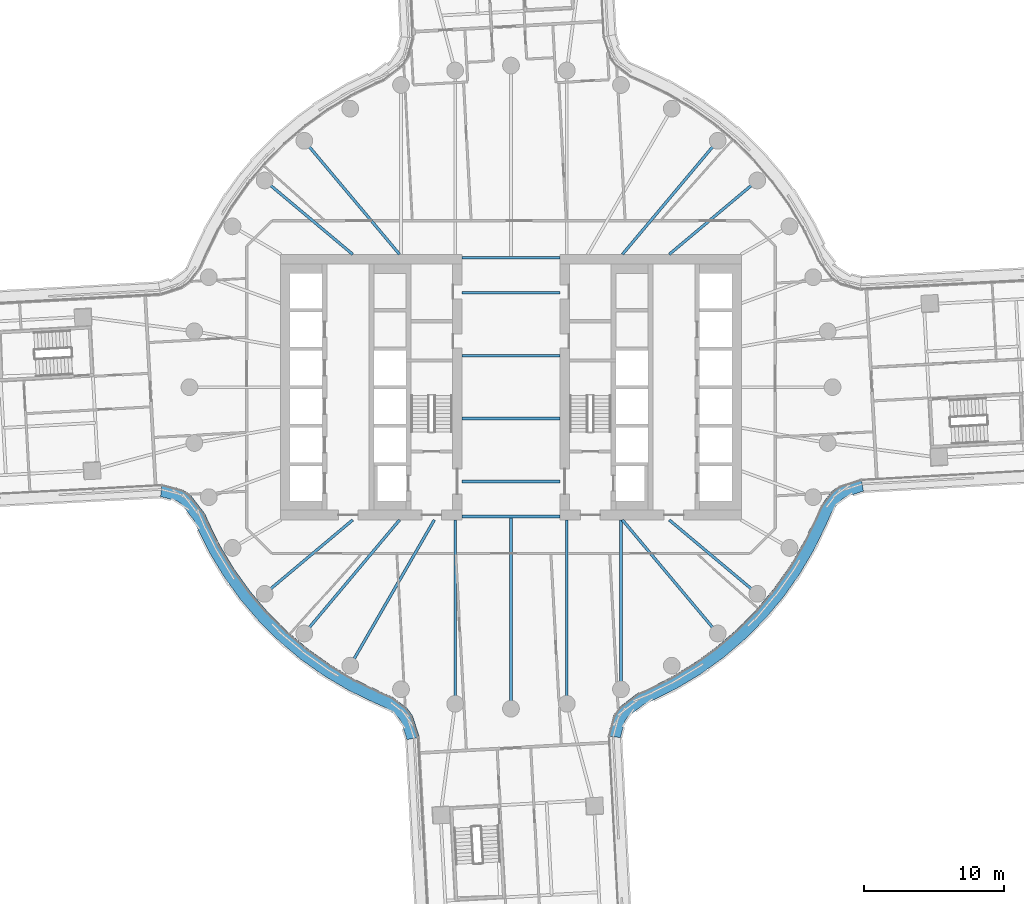
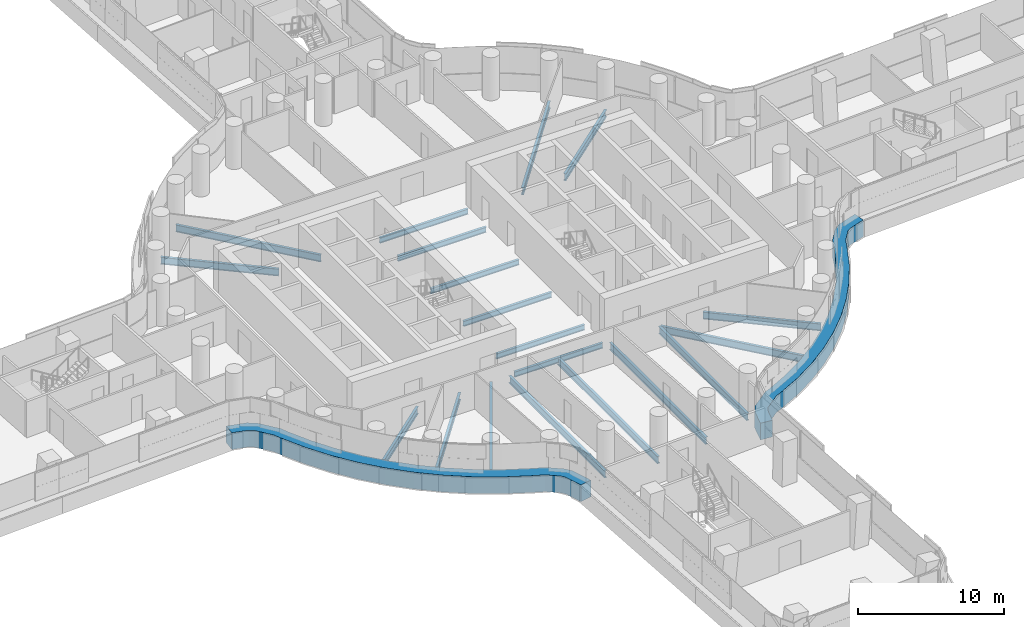
# One storey, part 8 of 31: 19 beams, 2 members, 2 elements without a shape of their own.
"""IFC4 building model written with IfcOpenShell, lengths in metres."""

from ifc_helpers import new_model, si_unit, direction, frame, origin, origin_2d, place, context, subcontext, project, spatial, polyline, i_section, outline, extrude, material, layer, layer_set, material_profile, profile_set, type_object, element, aggregate, save


model = new_model("IFC4")

# Units and contexts
model_context = context("Model", 3, precision=1e-05, world=origin(), true_north=direction((0.0, 1.0)))
body_context = subcontext(model_context, "Body", "Model", "MODEL_VIEW")
ifc_project = project(units=[si_unit("LENGTHUNIT", "METRE"), si_unit("AREAUNIT", "SQUARE_METRE"), si_unit("VOLUMEUNIT", "CUBIC_METRE"), si_unit("PLANEANGLEUNIT", "RADIAN"), si_unit("MASSUNIT", "GRAM", prefix="KILO")], contexts=[model_context])

# Site, building, storey
site_placement = place(None, origin())
site = spatial("IfcSite", under=ifc_project, at=site_placement, CompositionType="ELEMENT")
building_placement = place(site_placement, origin())
building = spatial("IfcBuilding", under=site, at=building_placement, Name="Tamarind Cross Interchange Tower", CompositionType="ELEMENT")
storey_placement = place(building_placement, frame((0.0, 0.0, 45.25)))
storey = spatial("IfcBuildingStorey", under=building, at=storey_placement, Name="L09", CompositionType="ELEMENT", Elevation=45.25)

# Beams
ifc_material_1 = material(Name="Steel Q355B", Category="steel")
ifc_material_profile_1 = material_profile(ifc_material_1, i_section(OverallWidth=0.198974609375, OverallDepth=0.446044921875, WebThickness=0.008056640625, FlangeThickness=0.011962890625, FilletRadius=0.012939453125, at=origin_2d()), Name="HN 446x199x8x12")
ifc_profile_set_1 = profile_set([ifc_material_profile_1], Name="Steel Q355B")
beam_type_1 = type_object("IfcBeamType", Name="Composite beam HN 446x199x8x12 Q355B", PredefinedType="BEAM", material=ifc_profile_set_1)
for number, where, z_axis, x_axis, name in (
    (1, (-3.5, -2.25, -0.363037109375), (1.0, 0.0, 0.0), (0.0, 1.0, 0.0), "Beam G-2.25"),
    (2, (-3.5, -6.75, -0.363037109375), (1.0, 0.0, 0.0), (0.0, 1.0, 0.0), "Beam G-6.75"),
    (3, (-3.5, -9.25, -0.363037109375), (1.0, 0.0, 0.0), (0.0, 1.0, 0.0), "Beam G-9.25"),
    (4, (-3.5, 2.25, -0.363037109375), (1.0, 0.0, 0.0), (0.0, 1.0, 0.0), "Beam G2.25"),
    (5, (-3.5, 6.75, -0.363037109375), (1.0, 0.0, 0.0), (0.0, 1.0, 0.0), "Beam G6.75"),
    (6, (-3.5, 9.25, -0.363037109375), (1.0, 0.0, 0.0), (0.0, 1.0, 0.0), "Beam G9.25"),
):
    element("IfcBeam", number, at=place(storey_placement, frame(where, z_axis=z_axis, x_axis=x_axis)), inside=storey, type_object=beam_type_1, Name=name, PredefinedType="BEAM", context=body_context, shape_type="SweptSolid", body=[
        extrude(i_section(OverallWidth=0.198974609375, OverallDepth=0.446044921875, WebThickness=0.008056640625, FlangeThickness=0.011962890625, FilletRadius=0.012939453125, at=origin_2d()), origin(), (0.0, 0.0, 1.0), 7.0),
    ])
ifc_material_profile_2 = material_profile(ifc_material_1, i_section(OverallWidth=0.198974609375, OverallDepth=0.595947265625, WebThickness=0.010009765625, FlangeThickness=0.014892578125, FilletRadius=0.012939453125, at=origin_2d()), Name="HN 596x199x10x15")
ifc_profile_set_2 = profile_set([ifc_material_profile_2], Name="Steel Q355B")
beam_type_2 = type_object("IfcBeamType", Name="Composite beam HN 596x199x10x15 Q355B", PredefinedType="BEAM", material=ifc_profile_set_2)
beam_1_placement = place(storey_placement, frame((17.619140625, 14.7841796875, -0.43798828125), z_axis=(-0.766040580814, -0.642792212574, 0.0), x_axis=(0.642792212574, -0.766040580814, 0.0)))
element("IfcBeam", 7, at=beam_1_placement, inside=storey, type_object=beam_type_2, Name="Beam HH04", PredefinedType="BEAM", context=body_context, shape_type="SweptSolid", body=[
    extrude(i_section(OverallWidth=0.198974609375, OverallDepth=0.595947265625, WebThickness=0.010009765625, FlangeThickness=0.014892578125, FilletRadius=0.012939453125, at=origin_2d()), origin(), (0.0, 0.0, 1.0), 8.220703125),
])
for number, where, z_axis, x_axis, name in (
    (8, (14.7841796875, 17.619140625, -0.43798828125), (-0.642786293979, -0.766045547127, 0.0), (0.766045547127, -0.642786293979, 0.0), "Beam HH05"),
    (9, (-14.7841796875, 17.619140625, -0.43798828125), (0.642786293979, -0.766045547127, 0.0), (0.766045547127, 0.642786293979, 0.0), "Beam HH13"),
):
    element("IfcBeam", number, at=place(storey_placement, frame(where, z_axis=z_axis, x_axis=x_axis)), inside=storey, type_object=beam_type_2, Name=name, PredefinedType="BEAM", context=body_context, shape_type="SweptSolid", body=[
        extrude(i_section(OverallWidth=0.198974609375, OverallDepth=0.595947265625, WebThickness=0.010009765625, FlangeThickness=0.014892578125, FilletRadius=0.012939453125, at=origin_2d()), origin(), (0.0, 0.0, 1.0), 10.598876953125),
    ])
for number, where, z_axis, x_axis, name in (
    (10, (-17.619140625, 14.7841796875, -0.43798828125), (0.766040580814, -0.642792212574, 0.0), (0.642792212574, 0.766040580814, 0.0), "Beam HH14"),
    (11, (-17.619140625, -14.7841796875, -0.43798828125), (0.766040580814, 0.642792212574, 0.0), (-0.642792212574, 0.766040580814, 0.0), "Beam HH22"),
):
    element("IfcBeam", number, at=place(storey_placement, frame(where, z_axis=z_axis, x_axis=x_axis)), inside=storey, type_object=beam_type_2, Name=name, PredefinedType="BEAM", context=body_context, shape_type="SweptSolid", body=[
        extrude(i_section(OverallWidth=0.198974609375, OverallDepth=0.595947265625, WebThickness=0.010009765625, FlangeThickness=0.014892578125, FilletRadius=0.012939453125, at=origin_2d()), origin(), (0.0, 0.0, 1.0), 8.220703125),
    ])
beam_2_placement = place(storey_placement, frame((-14.7841796875, -17.619140625, -0.43798828125), z_axis=(0.642786293979, 0.766045547127, 0.0), x_axis=(-0.766045547127, 0.642786293979, 0.0)))
element("IfcBeam", 12, at=beam_2_placement, inside=storey, type_object=beam_type_2, Name="Beam HH23", PredefinedType="BEAM", context=body_context, shape_type="SweptSolid", body=[
    extrude(i_section(OverallWidth=0.198974609375, OverallDepth=0.595947265625, WebThickness=0.010009765625, FlangeThickness=0.014892578125, FilletRadius=0.012939453125, at=origin_2d()), origin(), (0.0, 0.0, 1.0), 10.598876953125),
])
beam_3_placement = place(storey_placement, frame((-11.5, -19.918701171875, -0.43798828125), z_axis=(0.499993565836, 0.866029118519, 0.0), x_axis=(-0.866029118519, 0.499993565836, 0.0)))
element("IfcBeam", 13, at=beam_3_placement, inside=storey, type_object=beam_type_2, Name="Beam HH24", PredefinedType="BEAM", context=body_context, shape_type="SweptSolid", body=[
    extrude(i_section(OverallWidth=0.198974609375, OverallDepth=0.595947265625, WebThickness=0.010009765625, FlangeThickness=0.014892578125, FilletRadius=0.012939453125, at=origin_2d()), origin(), (0.0, 0.0, 1.0), 12.030517578125),
])
beam_4_placement = place(storey_placement, frame((-3.993896484375, -22.650634765625, -0.43798828125), z_axis=(0.0, 1.0, 0.0), x_axis=(-1.0, 0.0, 0.0)))
element("IfcBeam", 14, at=beam_4_placement, inside=storey, type_object=beam_type_2, Name="Beam HH26", PredefinedType="BEAM", context=body_context, shape_type="SweptSolid", body=[
    extrude(i_section(OverallWidth=0.198974609375, OverallDepth=0.595947265625, WebThickness=0.010009765625, FlangeThickness=0.014892578125, FilletRadius=0.012939453125, at=origin_2d()), origin(), (0.0, 0.0, 1.0), 13.150634765625),
])
beam_5_placement = place(storey_placement, frame((0.0, -23.0, -0.43798828125), z_axis=(0.0, 1.0, 0.0), x_axis=(-1.0, 0.0, 0.0)))
element("IfcBeam", 15, at=beam_5_placement, inside=storey, type_object=beam_type_2, Name="Beam HH27", PredefinedType="BEAM", context=body_context, shape_type="SweptSolid", body=[
    extrude(i_section(OverallWidth=0.198974609375, OverallDepth=0.595947265625, WebThickness=0.010009765625, FlangeThickness=0.014892578125, FilletRadius=0.012939453125, at=origin_2d()), origin(), (0.0, 0.0, 1.0), 13.75),
])
beam_6_placement = place(storey_placement, frame((3.993896484375, -22.650634765625, -0.43798828125), z_axis=(0.0, 1.0, 0.0), x_axis=(-1.0, 0.0, 0.0)))
element("IfcBeam", 16, at=beam_6_placement, inside=storey, type_object=beam_type_2, Name="Beam HH28", PredefinedType="BEAM", context=body_context, shape_type="SweptSolid", body=[
    extrude(i_section(OverallWidth=0.198974609375, OverallDepth=0.595947265625, WebThickness=0.010009765625, FlangeThickness=0.014892578125, FilletRadius=0.012939453125, at=origin_2d()), origin(), (0.0, 0.0, 1.0), 13.150634765625),
])
beam_7_placement = place(storey_placement, frame((7.866455078125, -21.613037109375, -0.43798828125), z_axis=(0.0, 1.0, 0.0), x_axis=(-1.0, 0.0, 0.0)))
element("IfcBeam", 17, at=beam_7_placement, inside=storey, type_object=beam_type_2, Name="Beam HH29", PredefinedType="BEAM", context=body_context, shape_type="SweptSolid", body=[
    extrude(i_section(OverallWidth=0.198974609375, OverallDepth=0.595947265625, WebThickness=0.010009765625, FlangeThickness=0.014892578125, FilletRadius=0.012939453125, at=origin_2d()), origin(), (0.0, 0.0, 1.0), 12.113037109375),
])
beam_8_placement = place(storey_placement, frame((14.7841796875, -17.619140625, -0.43798828125), z_axis=(-0.642786293979, 0.766045547127, 0.0), x_axis=(-0.766045547127, -0.642786293979, 0.0)))
element("IfcBeam", 18, at=beam_8_placement, inside=storey, type_object=beam_type_2, Name="Beam HH31", PredefinedType="BEAM", context=body_context, shape_type="SweptSolid", body=[
    extrude(i_section(OverallWidth=0.198974609375, OverallDepth=0.595947265625, WebThickness=0.010009765625, FlangeThickness=0.014892578125, FilletRadius=0.012939453125, at=origin_2d()), origin(), (0.0, 0.0, 1.0), 10.598876953125),
])
beam_9_placement = place(storey_placement, frame((17.619140625, -14.7841796875, -0.43798828125), z_axis=(-0.766040580814, 0.642792212574, 0.0), x_axis=(-0.642792212574, -0.766040580814, 0.0)))
element("IfcBeam", 19, at=beam_9_placement, inside=storey, type_object=beam_type_2, Name="Beam HH32", PredefinedType="BEAM", context=body_context, shape_type="SweptSolid", body=[
    extrude(i_section(OverallWidth=0.198974609375, OverallDepth=0.595947265625, WebThickness=0.010009765625, FlangeThickness=0.014892578125, FilletRadius=0.012939453125, at=origin_2d()), origin(), (0.0, 0.0, 1.0), 8.220703125),
])

# Curtain wall, member
ifc_material_2 = material(Name="Aluminium 6063-T6", Category="aluminium")
ifc_layer = layer(ifc_material_2, 0.159912109375)
ifc_layer_set = layer_set([ifc_layer], Name="Aluminium 6063-T6")
curtain_wall_type = type_object("IfcCurtainWallType", Name="Office curtain wall, 9.0 m bays", PredefinedType="NOTDEFINED", material=ifc_layer_set)
curtain_wall_1_placement = place(storey_placement, origin())
curtain_wall_1 = element("IfcCurtainWall", 20, at=curtain_wall_1_placement, inside=storey, type_object=curtain_wall_type, Name="CWS-L09-02", PredefinedType="NOTDEFINED")
ifc_material_3 = material(Name="Aluminium and insulated spandrel panel", Category="aluminium")
member_type = type_object("IfcMemberType", Name="Floor-edge blade transom", PredefinedType="USERDEFINED", material=ifc_material_3)
member_1_placement = place(storey_placement, origin())
member_1 = element("IfcMember", 21, at=member_1_placement, type_object=member_type, Name="CWT-L09-02", ObjectType="TRANSOM", PredefinedType="USERDEFINED", context=body_context, shape_type="SweptSolid", body=[
    extrude(outline(polyline([(-24.969970703125, -6.921142578125), (-23.5478515625, -7.297607421875), (-22.958984375, -7.6767578125), (-21.874755859375, -9.08349609375), (-21.659423828125, -9.610107421875), (-20.791015625, -11.367431640625), (-19.78125, -13.045654296875), (-18.636474609375, -14.634521484375), (-17.3642578125, -16.12353515625), (-15.973388671875, -17.50244140625), (-14.4736328125, -18.76171875), (-12.874755859375, -19.892822265625), (-11.188232421875, -20.88818359375), (-9.4189453125, -21.74365234375), (-8.486083984375, -22.15234375), (-7.424560546875, -22.972900390625), (-7.04736328125, -23.49365234375), (-6.54345703125, -25.04296875), (-7.435546875, -25.20947265625), (-7.859375, -23.90673828125), (-8.077392578125, -23.605712890625), (-8.94873046875, -22.93212890625), (-9.79541015625, -22.561279296875), (-11.613525390625, -21.68212890625), (-13.3642578125, -20.64892578125), (-15.023681640625, -19.474853515625), (-16.580810546875, -18.167724609375), (-18.0244140625, -16.736572265625), (-19.344970703125, -15.19091796875), (-20.533203125, -13.54150390625), (-21.581298828125, -11.799560546875), (-22.48046875, -9.980224609375), (-22.661865234375, -9.536376953125), (-23.576904296875, -8.34912109375), (-23.91552734375, -8.131103515625), (-25.063720703125, -7.827392578125), (-24.969970703125, -6.921142578125)])), origin(), (0.0, 0.0, 1.0), 1.39990234375),
])
aggregate(curtain_wall_1, [member_1])

curtain_wall_2_placement = place(storey_placement, origin())
curtain_wall_2 = element("IfcCurtainWall", 22, at=curtain_wall_2_placement, inside=storey, type_object=curtain_wall_type, Name="CWS-L09-06", PredefinedType="NOTDEFINED")
member_2_placement = place(storey_placement, origin())
member_2 = element("IfcMember", 23, at=member_2_placement, type_object=member_type, Name="CWT-L09-06", ObjectType="TRANSOM", PredefinedType="USERDEFINED", context=body_context, shape_type="SweptSolid", body=[
    extrude(outline(polyline([(6.921142578125, -24.969970703125), (7.297607421875, -23.5478515625), (7.6767578125, -22.958984375), (9.08349609375, -21.874755859375), (9.610107421875, -21.659423828125), (11.367431640625, -20.791015625), (13.045654296875, -19.78125), (14.634521484375, -18.636474609375), (16.12353515625, -17.3642578125), (17.50244140625, -15.973388671875), (18.76171875, -14.4736328125), (19.892822265625, -12.874755859375), (20.88818359375, -11.188232421875), (21.74365234375, -9.4189453125), (22.15234375, -8.486083984375), (22.972900390625, -7.424560546875), (23.49365234375, -7.04736328125), (25.04296875, -6.54345703125), (25.20947265625, -7.435546875), (23.90673828125, -7.859375), (23.605712890625, -8.077392578125), (22.93212890625, -8.94873046875), (22.561279296875, -9.79541015625), (21.68212890625, -11.613525390625), (20.64892578125, -13.3642578125), (19.474853515625, -15.023681640625), (18.167724609375, -16.580810546875), (16.736572265625, -18.0244140625), (15.19091796875, -19.344970703125), (13.54150390625, -20.533203125), (11.799560546875, -21.581298828125), (9.980224609375, -22.48046875), (9.536376953125, -22.661865234375), (8.34912109375, -23.576904296875), (8.131103515625, -23.91552734375), (7.827392578125, -25.063720703125), (6.921142578125, -24.969970703125)])), origin(), (0.0, 0.0, 1.0), 1.39990234375),
])
aggregate(curtain_wall_2, [member_2])

save(model, "model.ifc")
